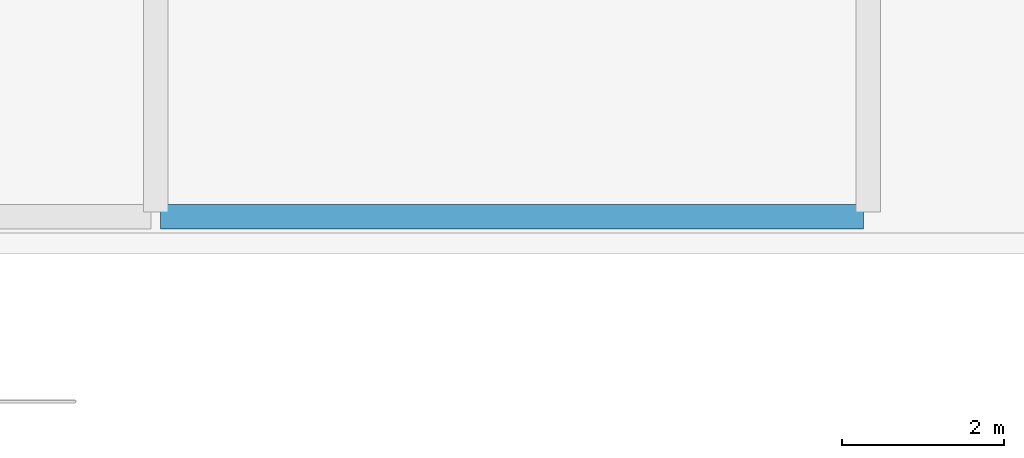
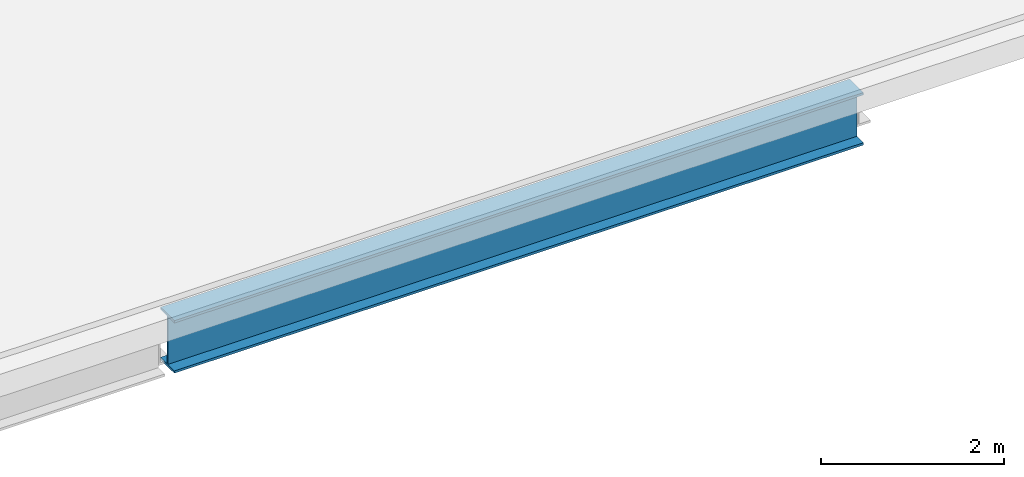
# One storey, part 31 of 104: 1 beam.
"""IFC4 building model written with IfcOpenShell, lengths in metres."""

from ifc_helpers import new_model, si_unit, direction, frame, origin, origin_2d, place, context, subcontext, project, spatial, i_section, extrude, material, material_profile, profile_set, type_object, element, save


model = new_model("IFC4")

# Units and contexts
model_context = context("Model", 3, precision=1e-05, world=origin(), true_north=direction((0.0, 1.0)))
body_context = subcontext(model_context, "Body", "Model", "MODEL_VIEW")
ifc_project = project(units=[si_unit("LENGTHUNIT", "METRE"), si_unit("AREAUNIT", "SQUARE_METRE"), si_unit("VOLUMEUNIT", "CUBIC_METRE"), si_unit("PLANEANGLEUNIT", "RADIAN"), si_unit("MASSUNIT", "GRAM", prefix="KILO")], contexts=[model_context])

# Site, building, storey
site_placement = place(None, origin())
site = spatial("IfcSite", under=ifc_project, at=site_placement, CompositionType="ELEMENT")
building_placement = place(site_placement, origin())
building = spatial("IfcBuilding", under=site, at=building_placement, Name="Koshinbarg Plaza Stadium", CompositionType="ELEMENT")
storey_placement = place(building_placement, frame((0.0, 0.0, 19.800048828125)))
storey = spatial("IfcBuildingStorey", under=building, at=storey_placement, Name="L04", CompositionType="ELEMENT", Elevation=19.800048828125)

# Beam
ifc_material = material(Name="Steel S355", Category="steel")
ifc_material_profile = material_profile(ifc_material, i_section(OverallWidth=0.300048828125, OverallDepth=0.699951171875, WebThickness=0.01708984375, FlangeThickness=0.031982421875, at=origin_2d()), Name="HEB 700")
ifc_profile_set = profile_set([ifc_material_profile], Name="Steel S355")
beam_type = type_object("IfcBeamType", Name="BM-SGIR-03", PredefinedType="USERDEFINED", material=ifc_profile_set)
beam_placement = place(storey_placement, frame((72.4599609375, 127.5, -0.650146484375), z_axis=(1.0, 0.0, 0.0), x_axis=(0.0, 1.0, 0.0)))
element("IfcBeam", 1, at=beam_placement, inside=storey, type_object=beam_type, Name="L04 X girder S/10-11", ObjectType="GIRDER", PredefinedType="USERDEFINED", context=body_context, shape_type="SweptSolid", body=[
    extrude(i_section(OverallWidth=0.300048828125, OverallDepth=0.699951171875, WebThickness=0.01708984375, FlangeThickness=0.031982421875, at=origin_2d()), origin(), (0.0, 0.0, 1.0), 8.679931640625),
])

save(model, "model.ifc")
